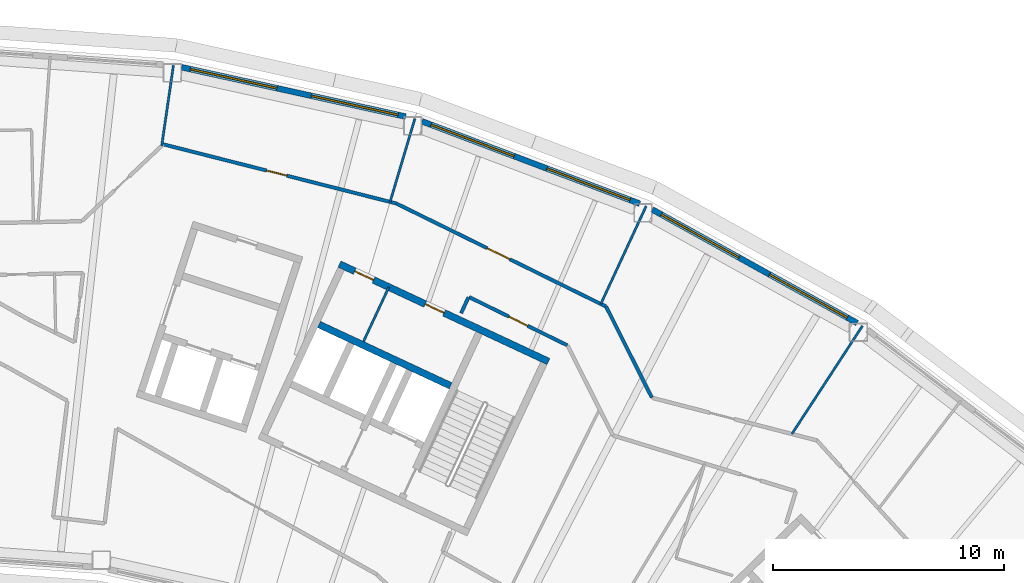
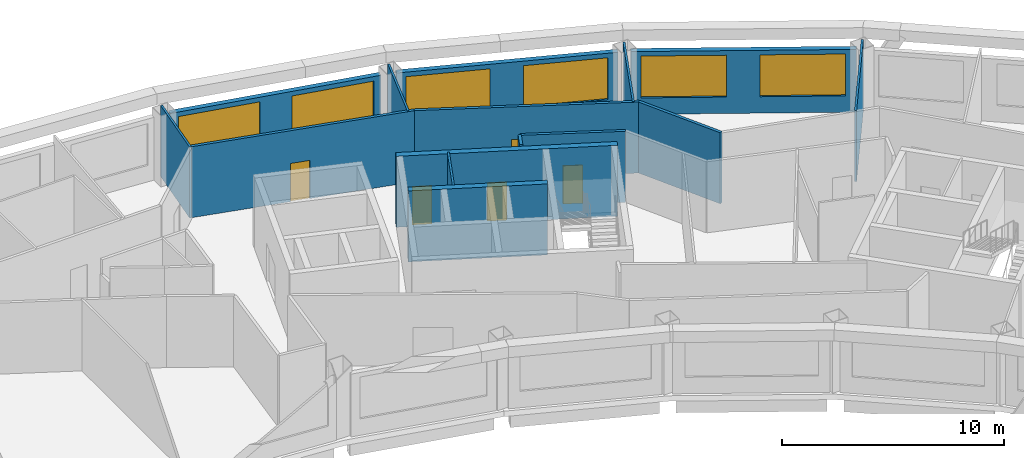
# One storey, part 11 of 14: 15 walls, 6 windows, 5 doors, 11 openings.
"""IFC4 building model written with IfcOpenShell, lengths in metres."""

from ifc_helpers import new_model, si_unit, direction, frame, frame_2d, origin, place, context, subcontext, project, spatial, rectangle, extrude, material, layer, layer_set, type_object, element, fill, save


model = new_model("IFC4")

# Units and contexts
model_context = context("Model", 3, precision=1e-05, world=origin(), true_north=direction((0.0, 1.0)))
body_context = subcontext(model_context, "Body", "Model", "MODEL_VIEW")
ifc_project = project(units=[si_unit("LENGTHUNIT", "METRE"), si_unit("AREAUNIT", "SQUARE_METRE"), si_unit("VOLUMEUNIT", "CUBIC_METRE"), si_unit("PLANEANGLEUNIT", "RADIAN"), si_unit("MASSUNIT", "GRAM", prefix="KILO")], contexts=[model_context])

# Site, building, storey
site_placement = place(None, origin())
site = spatial("IfcSite", under=ifc_project, at=site_placement, CompositionType="ELEMENT")
building_placement = place(site_placement, origin())
building = spatial("IfcBuilding", under=site, at=building_placement, Name="Tuul Gate Civic Tower", CompositionType="ELEMENT")
storey_placement = place(building_placement, frame((0.0, 0.0, 269.39990234375)))
storey = spatial("IfcBuildingStorey", under=building, at=storey_placement, Name="Level 61", CompositionType="ELEMENT", Elevation=269.39990234375)

# Wall
ifc_material_1 = material(Name="Concrete C50/60", Category="concrete")
ifc_layer_1 = layer(ifc_material_1, 0.300048828125)
ifc_layer_set_1 = layer_set([ifc_layer_1], Name="Concrete C50/60")
wall_type_1 = type_object("IfcWallType", Name="Core wall C50/60", PredefinedType="SHEAR", material=ifc_layer_set_1)
wall_1_placement = place(storey_placement, frame((33.75, -0.873779296875, 0.0), z_axis=(0.0, 0.0, 1.0), x_axis=(-0.906300917592, 0.422632992999, 0.0)))
element("IfcWall", 1, at=wall_1_placement, inside=storey, type_object=wall_type_1, Name="Core wall", PredefinedType="SHEAR", context=body_context, shape_type="SweptSolid", body=[
    extrude(rectangle(XDim=6.300048828125, YDim=0.300048828125, at=frame_2d((3.14990234375, 0.0))), origin(), (0.0, 0.0, 1.0), 3.900146484375),
])

# Wall, openings, doors
wall_2_placement = place(storey_placement, frame((37.993408203125, 0.181884765625, 0.0), z_axis=(0.0, 0.0, 1.0), x_axis=(-0.906310338845, 0.422612789327, 0.0)))
wall_2 = element("IfcWall", 2, at=wall_2_placement, inside=storey, type_object=wall_type_1, Name="Core wall", PredefinedType="SHEAR", context=body_context, shape_type="SweptSolid", body=[
    extrude(rectangle(XDim=9.999755859375, YDim=0.300048828125, at=frame_2d((5.0, 0.0))), origin(), (0.0, 0.0, 1.0), 3.900146484375),
])
opening_1_placement = place(wall_2_placement, frame((4.99365234375, 0.0, 0.0)))
opening_1 = element("IfcOpeningElement", 3, at=opening_1_placement, cuts=wall_2, Name="Opening W-D37", PredefinedType="OPENING", context=body_context, shape_type="SweptSolid", body=[
    extrude(rectangle(XDim=0.89990234375, YDim=2.10009765625, at=frame_2d((0.449951171875, 1.050048828125))), frame((0.0, 0.16015625, 0.0), z_axis=(0.0, -1.0, 0.0), x_axis=(1.0, 0.0, 0.0)), (0.0, 0.0, 1.0), 0.320068359375),
])
opening_2_placement = place(wall_2_placement, frame((8.368896484375, 0.0, 0.0)))
opening_2 = element("IfcOpeningElement", 4, at=opening_2_placement, cuts=wall_2, Name="Opening W-D38", PredefinedType="OPENING", context=body_context, shape_type="SweptSolid", body=[
    extrude(rectangle(XDim=0.89990234375, YDim=2.10009765625, at=frame_2d((0.449951171875, 1.050048828125))), frame((0.0, 0.16015625, 0.0), z_axis=(0.0, -1.0, 0.0), x_axis=(1.0, 0.0, 0.0)), (0.0, 0.0, 1.0), 0.320068359375),
])
ifc_material_2 = material(Name="Timber door leaf", Category="wood")
door_type_1 = type_object("IfcDoorType", Name="Door D09", OperationType="NOTDEFINED", PredefinedType="DOOR", material=ifc_material_2)
door_1_placement = place(opening_1_placement, origin())
door_1 = element("IfcDoor", 5, at=door_1_placement, inside=storey, type_object=door_type_1, Name="Door W-D37", OperationType="SINGLE_SWING_LEFT", OverallHeight=2.10009765625, OverallWidth=0.89990234375, PredefinedType="DOOR", context=body_context, shape_type="SweptSolid", body=[
    extrude(rectangle(XDim=0.89990234375, YDim=2.10009765625, at=frame_2d((0.449951171875, 1.050048828125))), frame((0.0, 0.02490234375, 0.0), z_axis=(0.0, -1.0, 0.0), x_axis=(1.0, 0.0, 0.0)), (0.0, 0.0, 1.0), 0.050048828125),
])
fill(opening_1, door_1)
door_2_placement = place(opening_2_placement, origin())
door_2 = element("IfcDoor", 6, at=door_2_placement, inside=storey, type_object=door_type_1, Name="Door W-D38", OperationType="SINGLE_SWING_RIGHT", OverallHeight=2.10009765625, OverallWidth=0.89990234375, PredefinedType="DOOR", context=body_context, shape_type="SweptSolid", body=[
    extrude(rectangle(XDim=0.89990234375, YDim=2.10009765625, at=frame_2d((0.449951171875, 1.050048828125))), frame((0.0, 0.02490234375, 0.0), z_axis=(0.0, -1.0, 0.0), x_axis=(1.0, 0.0, 0.0)), (0.0, 0.0, 1.0), 0.050048828125),
])
fill(opening_2, door_2)

# Wall
ifc_material_3 = material(Name="Gypsum board partition")
ifc_layer_2 = layer(ifc_material_3, 0.14990234375)
ifc_layer_set_2 = layer_set([ifc_layer_2], Name="Gypsum board partition")
wall_type_2 = type_object("IfcWallType", Name="Corridor wall P150", PredefinedType="PARTITIONING", material=ifc_layer_set_2)
wall_3_placement = place(storey_placement, frame((40.493408203125, 2.5654296875, 0.0), z_axis=(0.0, 0.0, 1.0), x_axis=(0.449399871254, -0.893330709042, 0.0)))
element("IfcWall", 7, at=wall_3_placement, inside=storey, type_object=wall_type_2, Name="p019", PredefinedType="PARTITIONING", context=body_context, shape_type="SweptSolid", body=[
    extrude(rectangle(XDim=4.41943359375, YDim=0.14990234375, at=frame_2d((2.209716796875, 0.0))), origin(), (0.0, 0.0, 1.0), 3.900146484375),
])

# Wall, opening, door
wall_4_placement = place(storey_placement, frame((31.3916015625, 7.0380859375, 0.0), z_axis=(0.0, 0.0, 1.0), x_axis=(0.897511529592, -0.440990991121, 0.0)))
wall_4 = element("IfcWall", 8, at=wall_4_placement, inside=storey, type_object=wall_type_2, Name="p020", PredefinedType="PARTITIONING", context=body_context, shape_type="SweptSolid", body=[
    extrude(rectangle(XDim=10.14013671875, YDim=0.14990234375, at=frame_2d((5.070068359375, 0.0))), origin(), (0.0, 0.0, 1.0), 3.900146484375),
])
opening_3_placement = place(wall_4_placement, frame((4.393310546875, 0.0, 0.0)))
opening_3 = element("IfcOpeningElement", 9, at=opening_3_placement, cuts=wall_4, Name="Opening W-D06", PredefinedType="OPENING", context=body_context, shape_type="SweptSolid", body=[
    extrude(rectangle(XDim=1.10009765625, YDim=2.10009765625, at=frame_2d((0.550048828125, 1.050048828125))), frame((0.0, 0.0849609375, 0.0), z_axis=(0.0, -1.0, 0.0), x_axis=(1.0, 0.0, 0.0)), (0.0, 0.0, 1.0), 0.169921875),
])
ifc_material_4 = material(Name="Timber door leaf", Category="wood")
door_type_2 = type_object("IfcDoorType", Name="Door D11", OperationType="NOTDEFINED", PredefinedType="DOOR", material=ifc_material_4)
door_3_placement = place(opening_3_placement, origin())
door_3 = element("IfcDoor", 10, at=door_3_placement, inside=storey, type_object=door_type_2, Name="Door W-D06", OperationType="SINGLE_SWING_RIGHT", OverallHeight=2.10009765625, OverallWidth=1.10009765625, PredefinedType="DOOR", context=body_context, shape_type="SweptSolid", body=[
    extrude(rectangle(XDim=1.10009765625, YDim=2.10009765625, at=frame_2d((0.550048828125, 1.050048828125))), frame((0.0, 0.02490234375, 0.0), z_axis=(0.0, -1.0, 0.0), x_axis=(1.0, 0.0, 0.0)), (0.0, 0.0, 1.0), 0.050048828125),
])
fill(opening_3, door_3)

wall_5_placement = place(storey_placement, frame((21.28857421875, 9.602783203125, 0.0), z_axis=(0.0, 0.0, 1.0), x_axis=(0.969259771497, -0.24603962152, 0.0)))
wall_5 = element("IfcWall", 11, at=wall_5_placement, inside=storey, type_object=wall_type_2, Name="p022", PredefinedType="PARTITIONING", context=body_context, shape_type="SweptSolid", body=[
    extrude(rectangle(XDim=10.421875, YDim=0.14990234375, at=frame_2d((5.2109375, 0.0))), origin(), (0.0, 0.0, 1.0), 3.900146484375),
])
opening_4_placement = place(wall_5_placement, frame((4.62451171875, 0.0, 0.0)))
opening_4 = element("IfcOpeningElement", 12, at=opening_4_placement, cuts=wall_5, Name="Opening W-D07", PredefinedType="OPENING", context=body_context, shape_type="SweptSolid", body=[
    extrude(rectangle(XDim=0.89990234375, YDim=2.10009765625, at=frame_2d((0.449951171875, 1.050048828125))), frame((0.0, 0.0849609375, 0.0), z_axis=(0.0, -1.0, 0.0), x_axis=(1.0, 0.0, 0.0)), (0.0, 0.0, 1.0), 0.169921875),
])
door_4_placement = place(opening_4_placement, origin())
door_4 = element("IfcDoor", 13, at=door_4_placement, inside=storey, type_object=door_type_1, Name="Door W-D07", OperationType="SINGLE_SWING_RIGHT", OverallHeight=2.10009765625, OverallWidth=0.89990234375, PredefinedType="DOOR", context=body_context, shape_type="SweptSolid", body=[
    extrude(rectangle(XDim=0.89990234375, YDim=2.10009765625, at=frame_2d((0.449951171875, 1.050048828125))), frame((0.0, 0.02490234375, 0.0), z_axis=(0.0, -1.0, 0.0), x_axis=(1.0, 0.0, 0.0)), (0.0, 0.0, 1.0), 0.050048828125),
])
fill(opening_4, door_4)

# Wall
wall_6_placement = place(storey_placement, frame((34.206298828125, 2.27978515625, 0.0), z_axis=(0.0, 0.0, 1.0), x_axis=(0.420629011696, 0.907232734484, 0.0)))
element("IfcWall", 14, at=wall_6_placement, inside=storey, type_object=wall_type_2, Name="p109", PredefinedType="PARTITIONING", context=body_context, shape_type="SweptSolid", body=[
    extrude(rectangle(XDim=0.758544921875, YDim=0.14990234375, at=frame_2d((0.37939453125, 0.0))), origin(), (0.0, 0.0, 1.0), 3.900146484375),
])

# Wall, opening, door
wall_7_placement = place(storey_placement, frame((34.552978515625, 2.9775390625, 0.0), z_axis=(0.0, 0.0, 1.0), x_axis=(0.897530416206, -0.440952550718, 0.0)))
wall_7 = element("IfcWall", 15, at=wall_7_placement, inside=storey, type_object=wall_type_2, Name="p110", PredefinedType="PARTITIONING", context=body_context, shape_type="SweptSolid", body=[
    extrude(rectangle(XDim=4.75, YDim=0.14990234375, at=frame_2d((2.375, 0.0))), origin(), (0.0, 0.0, 1.0), 3.900146484375),
])
opening_5_placement = place(wall_7_placement, frame((1.9248046875, 0.0, 0.0)))
opening_5 = element("IfcOpeningElement", 16, at=opening_5_placement, cuts=wall_7, Name="Opening W-D30", PredefinedType="OPENING", context=body_context, shape_type="SweptSolid", body=[
    extrude(rectangle(XDim=0.89990234375, YDim=2.10009765625, at=frame_2d((0.449951171875, 1.050048828125))), frame((0.0, 0.0849609375, 0.0), z_axis=(0.0, -1.0, 0.0), x_axis=(1.0, 0.0, 0.0)), (0.0, 0.0, 1.0), 0.169921875),
])
door_5_placement = place(opening_5_placement, origin())
door_5 = element("IfcDoor", 17, at=door_5_placement, inside=storey, type_object=door_type_1, Name="Door W-D30", OperationType="SINGLE_SWING_RIGHT", OverallHeight=2.10009765625, OverallWidth=0.89990234375, PredefinedType="DOOR", context=body_context, shape_type="SweptSolid", body=[
    extrude(rectangle(XDim=0.89990234375, YDim=2.10009765625, at=frame_2d((0.449951171875, 1.050048828125))), frame((0.0, 0.02490234375, 0.0), z_axis=(0.0, -1.0, 0.0), x_axis=(1.0, 0.0, 0.0)), (0.0, 0.0, 1.0), 0.050048828125),
])
fill(opening_5, door_5)

# Wall, openings, windows
ifc_material_5 = material(Name="Precast concrete C40/50", Category="concrete")
ifc_layer_3 = layer(ifc_material_5, 0.25)
ifc_layer_set_3 = layer_set([ifc_layer_3], Name="Precast concrete C40/50")
wall_type_3 = type_object("IfcWallType", Name="External wall", PredefinedType="STANDARD", material=ifc_layer_set_3)
wall_8_placement = place(storey_placement, frame((51.380615234375, 1.85205078125, 0.0), z_axis=(0.0, 0.0, 1.0), x_axis=(-0.87463069098, 0.484789804345, 0.0)))
wall_8 = element("IfcWall", 18, at=wall_8_placement, inside=storey, type_object=wall_type_3, Name="External wall", PredefinedType="STANDARD", context=body_context, shape_type="SweptSolid", body=[
    extrude(rectangle(XDim=10.1591796875, YDim=0.25, at=frame_2d((5.07958984375, 0.0))), origin(), (0.0, 0.0, 1.0), 3.4501953125),
])
opening_6_placement = place(wall_8_placement, frame((0.48779296875, 0.0, 0.89990234375)))
opening_6 = element("IfcOpeningElement", 19, at=opening_6_placement, cuts=wall_8, Name="Opening W22", PredefinedType="OPENING", context=body_context, shape_type="SweptSolid", body=[
    extrude(rectangle(XDim=3.85009765625, YDim=2.300048828125, at=frame_2d((1.925048828125, 1.14990234375))), frame((0.0, 0.135009765625, 0.0), z_axis=(0.0, -1.0, 0.0), x_axis=(1.0, 0.0, 0.0)), (0.0, 0.0, 1.0), 0.27001953125),
])
opening_7_placement = place(wall_8_placement, frame((5.859130859375, 0.0, 0.89990234375)))
opening_7 = element("IfcOpeningElement", 20, at=opening_7_placement, cuts=wall_8, Name="Opening W22", PredefinedType="OPENING", context=body_context, shape_type="SweptSolid", body=[
    extrude(rectangle(XDim=3.85009765625, YDim=2.300048828125, at=frame_2d((1.925048828125, 1.14990234375))), frame((0.0, 0.135009765625, 0.0), z_axis=(0.0, -1.0, 0.0), x_axis=(1.0, 0.0, 0.0)), (0.0, 0.0, 1.0), 0.27001953125),
])
ifc_material_6 = material(Name="Glass", Category="glass")
window_type = type_object("IfcWindowType", Name="Window W22 3850 x 2300", PartitioningType="SINGLE_PANEL", PredefinedType="WINDOW", material=ifc_material_6)
window_1_placement = place(opening_6_placement, origin())
window_1 = element("IfcWindow", 21, at=window_1_placement, inside=storey, type_object=window_type, Name="Window", OverallHeight=2.300048828125, OverallWidth=3.85009765625, PartitioningType="SINGLE_PANEL", PredefinedType="WINDOW", context=body_context, shape_type="SweptSolid", body=[
    extrude(rectangle(XDim=3.85009765625, YDim=2.300048828125, at=frame_2d((1.925048828125, 1.14990234375))), frame((0.0, 0.030029296875, 0.0), z_axis=(0.0, -1.0, 0.0), x_axis=(1.0, 0.0, 0.0)), (0.0, 0.0, 1.0), 0.06005859375),
])
fill(opening_6, window_1)
window_2_placement = place(opening_7_placement, origin())
window_2 = element("IfcWindow", 22, at=window_2_placement, inside=storey, type_object=window_type, Name="Window", OverallHeight=2.300048828125, OverallWidth=3.85009765625, PartitioningType="SINGLE_PANEL", PredefinedType="WINDOW", context=body_context, shape_type="SweptSolid", body=[
    extrude(rectangle(XDim=3.85009765625, YDim=2.300048828125, at=frame_2d((1.925048828125, 1.14990234375))), frame((0.0, 0.030029296875, 0.0), z_axis=(0.0, -1.0, 0.0), x_axis=(1.0, 0.0, 0.0)), (0.0, 0.0, 1.0), 0.06005859375),
])
fill(opening_7, window_2)

wall_9_placement = place(storey_placement, frame((41.954345703125, 7.028076171875, 0.0), z_axis=(0.0, 0.0, 1.0), x_axis=(-0.935343984789, 0.353739494712, 0.0)))
wall_9 = element("IfcWall", 23, at=wall_9_placement, inside=storey, type_object=wall_type_3, Name="External wall", PredefinedType="STANDARD", context=body_context, shape_type="SweptSolid", body=[
    extrude(rectangle(XDim=10.099365234375, YDim=0.25, at=frame_2d((5.0498046875, 0.0))), origin(), (0.0, 0.0, 1.0), 3.4501953125),
])
opening_8_placement = place(wall_9_placement, frame((0.45556640625, 0.0, 0.89990234375)))
opening_8 = element("IfcOpeningElement", 24, at=opening_8_placement, cuts=wall_9, Name="Opening W22", PredefinedType="OPENING", context=body_context, shape_type="SweptSolid", body=[
    extrude(rectangle(XDim=3.85009765625, YDim=2.300048828125, at=frame_2d((1.925048828125, 1.14990234375))), frame((0.0, 0.135009765625, 0.0), z_axis=(0.0, -1.0, 0.0), x_axis=(1.0, 0.0, 0.0)), (0.0, 0.0, 1.0), 0.27001953125),
])
opening_9_placement = place(wall_9_placement, frame((5.826904296875, 0.0, 0.89990234375)))
opening_9 = element("IfcOpeningElement", 25, at=opening_9_placement, cuts=wall_9, Name="Opening W22", PredefinedType="OPENING", context=body_context, shape_type="SweptSolid", body=[
    extrude(rectangle(XDim=3.85009765625, YDim=2.300048828125, at=frame_2d((1.925048828125, 1.14990234375))), frame((0.0, 0.135009765625, 0.0), z_axis=(0.0, -1.0, 0.0), x_axis=(1.0, 0.0, 0.0)), (0.0, 0.0, 1.0), 0.27001953125),
])
window_3_placement = place(opening_8_placement, origin())
window_3 = element("IfcWindow", 26, at=window_3_placement, inside=storey, type_object=window_type, Name="Window", OverallHeight=2.300048828125, OverallWidth=3.85009765625, PartitioningType="SINGLE_PANEL", PredefinedType="WINDOW", context=body_context, shape_type="SweptSolid", body=[
    extrude(rectangle(XDim=3.85009765625, YDim=2.300048828125, at=frame_2d((1.925048828125, 1.14990234375))), frame((0.0, 0.030029296875, 0.0), z_axis=(0.0, -1.0, 0.0), x_axis=(1.0, 0.0, 0.0)), (0.0, 0.0, 1.0), 0.06005859375),
])
fill(opening_8, window_3)
window_4_placement = place(opening_9_placement, origin())
window_4 = element("IfcWindow", 27, at=window_4_placement, inside=storey, type_object=window_type, Name="Window", OverallHeight=2.300048828125, OverallWidth=3.85009765625, PartitioningType="SINGLE_PANEL", PredefinedType="WINDOW", context=body_context, shape_type="SweptSolid", body=[
    extrude(rectangle(XDim=3.85009765625, YDim=2.300048828125, at=frame_2d((1.925048828125, 1.14990234375))), frame((0.0, 0.030029296875, 0.0), z_axis=(0.0, -1.0, 0.0), x_axis=(1.0, 0.0, 0.0)), (0.0, 0.0, 1.0), 0.06005859375),
])
fill(opening_9, window_4)

wall_10_placement = place(storey_placement, frame((31.80029296875, 10.804931640625, 0.0), z_axis=(0.0, 0.0, 1.0), x_axis=(-0.976562454365, 0.215234227585, 0.0)))
wall_10 = element("IfcWall", 28, at=wall_10_placement, inside=storey, type_object=wall_type_3, Name="External wall", PredefinedType="STANDARD", context=body_context, shape_type="SweptSolid", body=[
    extrude(rectangle(XDim=9.95361328125, YDim=0.25, at=frame_2d((4.976806640625, 0.0))), origin(), (0.0, 0.0, 1.0), 3.4501953125),
])
opening_10_placement = place(wall_10_placement, frame((0.34228515625, 0.0, 0.89990234375)))
opening_10 = element("IfcOpeningElement", 29, at=opening_10_placement, cuts=wall_10, Name="Opening W22", PredefinedType="OPENING", context=body_context, shape_type="SweptSolid", body=[
    extrude(rectangle(XDim=3.85009765625, YDim=2.300048828125, at=frame_2d((1.925048828125, 1.14990234375))), frame((0.0, 0.135009765625, 0.0), z_axis=(0.0, -1.0, 0.0), x_axis=(1.0, 0.0, 0.0)), (0.0, 0.0, 1.0), 0.27001953125),
])
opening_11_placement = place(wall_10_placement, frame((5.713623046875, 0.0, 0.89990234375)))
opening_11 = element("IfcOpeningElement", 30, at=opening_11_placement, cuts=wall_10, Name="Opening W22", PredefinedType="OPENING", context=body_context, shape_type="SweptSolid", body=[
    extrude(rectangle(XDim=3.85009765625, YDim=2.300048828125, at=frame_2d((1.925048828125, 1.14990234375))), frame((0.0, 0.135009765625, 0.0), z_axis=(0.0, -1.0, 0.0), x_axis=(1.0, 0.0, 0.0)), (0.0, 0.0, 1.0), 0.27001953125),
])
window_5_placement = place(opening_10_placement, origin())
window_5 = element("IfcWindow", 31, at=window_5_placement, inside=storey, type_object=window_type, Name="Window", OverallHeight=2.300048828125, OverallWidth=3.85009765625, PartitioningType="SINGLE_PANEL", PredefinedType="WINDOW", context=body_context, shape_type="SweptSolid", body=[
    extrude(rectangle(XDim=3.85009765625, YDim=2.300048828125, at=frame_2d((1.925048828125, 1.14990234375))), frame((0.0, 0.030029296875, 0.0), z_axis=(0.0, -1.0, 0.0), x_axis=(1.0, 0.0, 0.0)), (0.0, 0.0, 1.0), 0.06005859375),
])
fill(opening_10, window_5)
window_6_placement = place(opening_11_placement, origin())
window_6 = element("IfcWindow", 32, at=window_6_placement, inside=storey, type_object=window_type, Name="Window", OverallHeight=2.300048828125, OverallWidth=3.85009765625, PartitioningType="SINGLE_PANEL", PredefinedType="WINDOW", context=body_context, shape_type="SweptSolid", body=[
    extrude(rectangle(XDim=3.85009765625, YDim=2.300048828125, at=frame_2d((1.925048828125, 1.14990234375))), frame((0.0, 0.030029296875, 0.0), z_axis=(0.0, -1.0, 0.0), x_axis=(1.0, 0.0, 0.0)), (0.0, 0.0, 1.0), 0.06005859375),
])
fill(opening_11, window_6)

# Walls
ifc_material_7 = material(Name="Gypsum board partition")
ifc_layer_4 = layer(ifc_material_7, 0.10009765625)
ifc_layer_set_4 = layer_set([ifc_layer_4], Name="Gypsum board partition")
wall_type_4 = type_object("IfcWallType", Name="Partition P100", PredefinedType="PARTITIONING", material=ifc_layer_set_4)
wall_11_placement = place(storey_placement, frame((48.552490234375, -2.960205078125, 0.0), z_axis=(0.0, 0.0, 1.0), x_axis=(0.546726524773, 0.837311236703, 0.0)))
element("IfcWall", 33, at=wall_11_placement, inside=storey, type_object=wall_type_4, Name="p016", PredefinedType="PARTITIONING", context=body_context, shape_type="SweptSolid", body=[
    extrude(rectangle(XDim=5.599853515625, YDim=0.10009765625, at=frame_2d((2.7998046875, 0.0))), origin(), (0.0, 0.0, 1.0), 3.900146484375),
])
wall_12_placement = place(storey_placement, frame((40.2646484375, 2.67822265625, 0.0), z_axis=(0.0, 0.0, 1.0), x_axis=(0.420366811033, 0.907354255064, 0.0)))
element("IfcWall", 34, at=wall_12_placement, inside=storey, type_object=wall_type_4, Name="p018", PredefinedType="PARTITIONING", context=body_context, shape_type="SweptSolid", body=[
    extrude(rectangle(XDim=4.683349609375, YDim=0.10009765625, at=frame_2d((2.341796875, 0.0))), origin(), (0.0, 0.0, 1.0), 3.900146484375),
])
wall_13_placement = place(storey_placement, frame((31.125732421875, 7.105712890625, 0.0), z_axis=(0.0, 0.0, 1.0), x_axis=(0.28525147168, 0.958452710312, 0.0)))
element("IfcWall", 35, at=wall_13_placement, inside=storey, type_object=wall_type_4, Name="p021", PredefinedType="PARTITIONING", context=body_context, shape_type="SweptSolid", body=[
    extrude(rectangle(XDim=3.772705078125, YDim=0.10009765625, at=frame_2d((1.88623046875, 0.0))), origin(), (0.0, 0.0, 1.0), 3.900146484375),
])
wall_14_placement = place(storey_placement, frame((21.219482421875, 9.53857421875, 0.0), z_axis=(0.0, 0.0, 1.0), x_axis=(0.144143140831, 0.989556847761, 0.0)))
element("IfcWall", 36, at=wall_14_placement, inside=storey, type_object=wall_type_4, Name="p023", PredefinedType="PARTITIONING", context=body_context, shape_type="SweptSolid", body=[
    extrude(rectangle(XDim=3.528076171875, YDim=0.10009765625, at=frame_2d((1.76416015625, 0.0))), origin(), (0.0, 0.0, 1.0), 3.900146484375),
])
wall_15_placement = place(storey_placement, frame((29.972900390625, 1.052978515625, 0.0), z_axis=(0.0, 0.0, 1.0), x_axis=(0.422556439746, 0.906336612539, 0.0)))
element("IfcWall", 37, at=wall_15_placement, inside=storey, type_object=wall_type_4, Name="bE3-BAND-0", PredefinedType="PARTITIONING", context=body_context, shape_type="SweptSolid", body=[
    extrude(rectangle(XDim=2.599853515625, YDim=0.10009765625, at=frame_2d((1.2998046875, 0.0))), origin(), (0.0, 0.0, 1.0), 3.900146484375),
])

save(model, "model.ifc")
